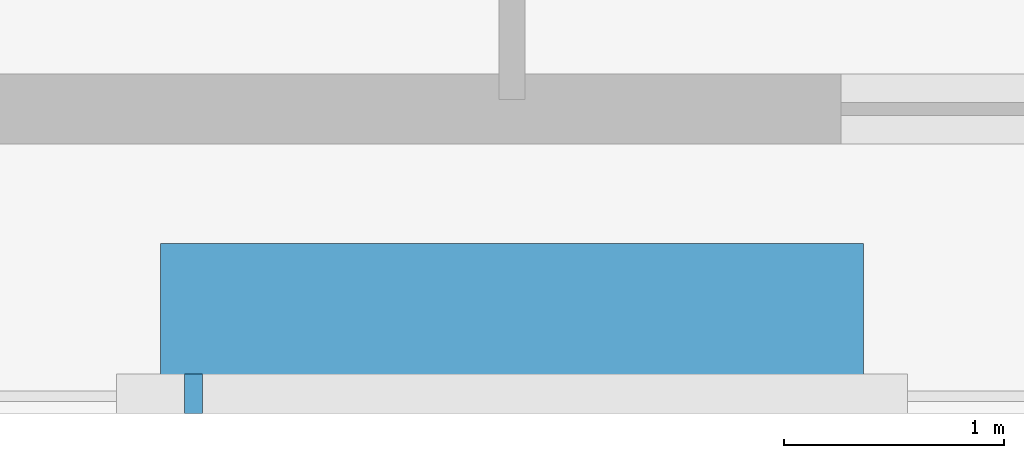
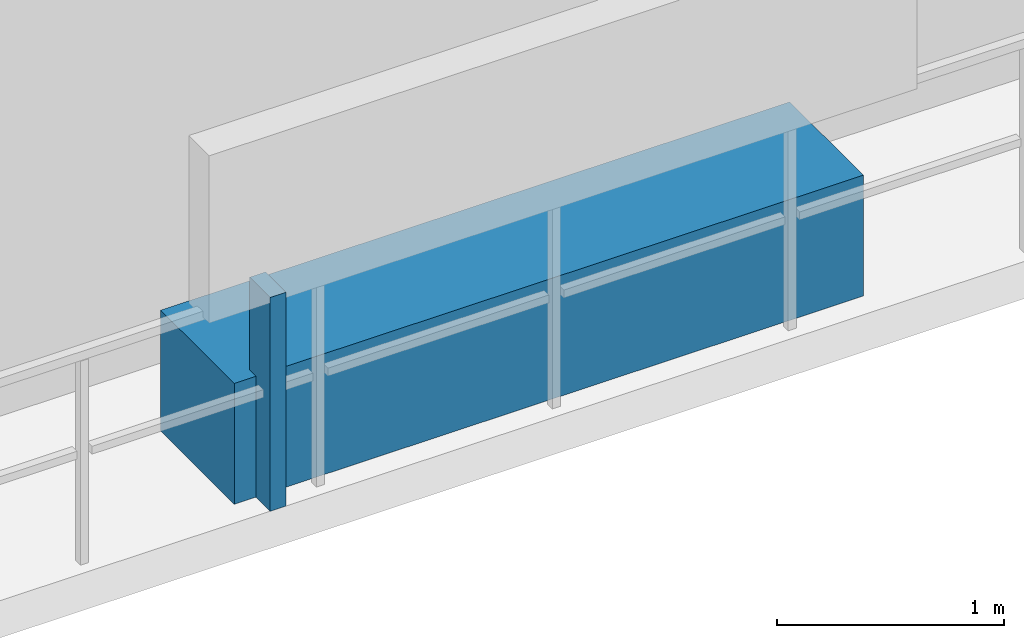
# One storey, part 29 of 34: 2 discrete accessories.
"""IFC4 building model written with IfcOpenShell, lengths in metres."""

from ifc_helpers import new_model, si_unit, direction, frame, origin, origin_2d, place, context, subcontext, project, spatial, rectangle, extrude, material, type_object, element, save


model = new_model("IFC4")

# Units and contexts
model_context = context("Model", 3, precision=1e-05, world=origin(), true_north=direction((0.0, 1.0)))
body_context = subcontext(model_context, "Body", "Model", "MODEL_VIEW")
ifc_project = project(units=[si_unit("LENGTHUNIT", "METRE"), si_unit("AREAUNIT", "SQUARE_METRE"), si_unit("VOLUMEUNIT", "CUBIC_METRE"), si_unit("PLANEANGLEUNIT", "RADIAN"), si_unit("MASSUNIT", "GRAM", prefix="KILO")], contexts=[model_context])

# Site, building, storey
site_placement = place(None, origin())
site = spatial("IfcSite", under=ifc_project, at=site_placement, CompositionType="ELEMENT")
building_placement = place(site_placement, origin())
building = spatial("IfcBuilding", under=site, at=building_placement, Name="Thornwick Lancets Civic Towers", CompositionType="ELEMENT")
storey_placement = place(building_placement, frame((0.0, 0.0, 57.300048828125)))
storey = spatial("IfcBuildingStorey", under=building, at=storey_placement, Name="L14", CompositionType="ELEMENT", Elevation=57.300048828125)

# Discrete accessories
ifc_material_1 = material(Name="Planted terracotta greenery planter", Category="masonry")
discrete_accessory_type_1 = type_object("IfcDiscreteAccessoryType", Name="ACC_PLANTER_BOX", PredefinedType="USERDEFINED", material=ifc_material_1)
discrete_accessory_1_placement = place(storey_placement, frame((25.5, 1.800048828125, 0.0), z_axis=(0.0, 0.0, 1.0), x_axis=(1.0, 0.0, 0.0)))
element("IfcDiscreteAccessory", 1, at=discrete_accessory_1_placement, inside=storey, type_object=discrete_accessory_type_1, Name="L14 Tower A Balcony Greenery Planter S", ObjectType="PLANTER", PredefinedType="USERDEFINED", context=body_context, shape_type="SweptSolid", body=[
    extrude(rectangle(XDim=3.199951171875, YDim=0.64990234375, at=origin_2d()), origin(), (0.0, 0.0, 1.0), 0.64990234375),
])
ifc_material_2 = material(Name="Stainless steel S355", Category="steel")
discrete_accessory_type_2 = type_object("IfcDiscreteAccessoryType", Name="ACC_SCREEN_BRACKET", PredefinedType="BRACKET", material=ifc_material_2)
discrete_accessory_2_placement = place(storey_placement, frame((24.050048828125, 1.43994140625, 0.0), z_axis=(0.0, 0.0, 1.0), x_axis=(1.0, 0.0, 0.0)))
element("IfcDiscreteAccessory", 2, at=discrete_accessory_2_placement, inside=storey, type_object=discrete_accessory_type_2, Name="L14 Tower A Balcony Screen Stanchion Bracket S-1", PredefinedType="BRACKET", context=body_context, shape_type="SweptSolid", body=[
    extrude(rectangle(XDim=0.080078125, YDim=0.179931640625, at=origin_2d()), origin(), (0.0, 0.0, 1.0), 1.14990234375),
])

save(model, "model.ifc")
